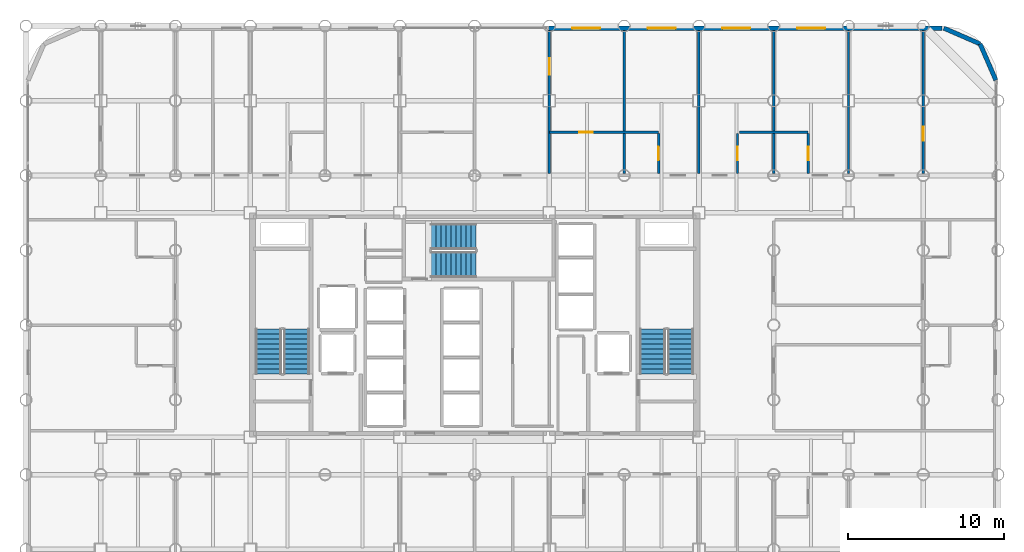
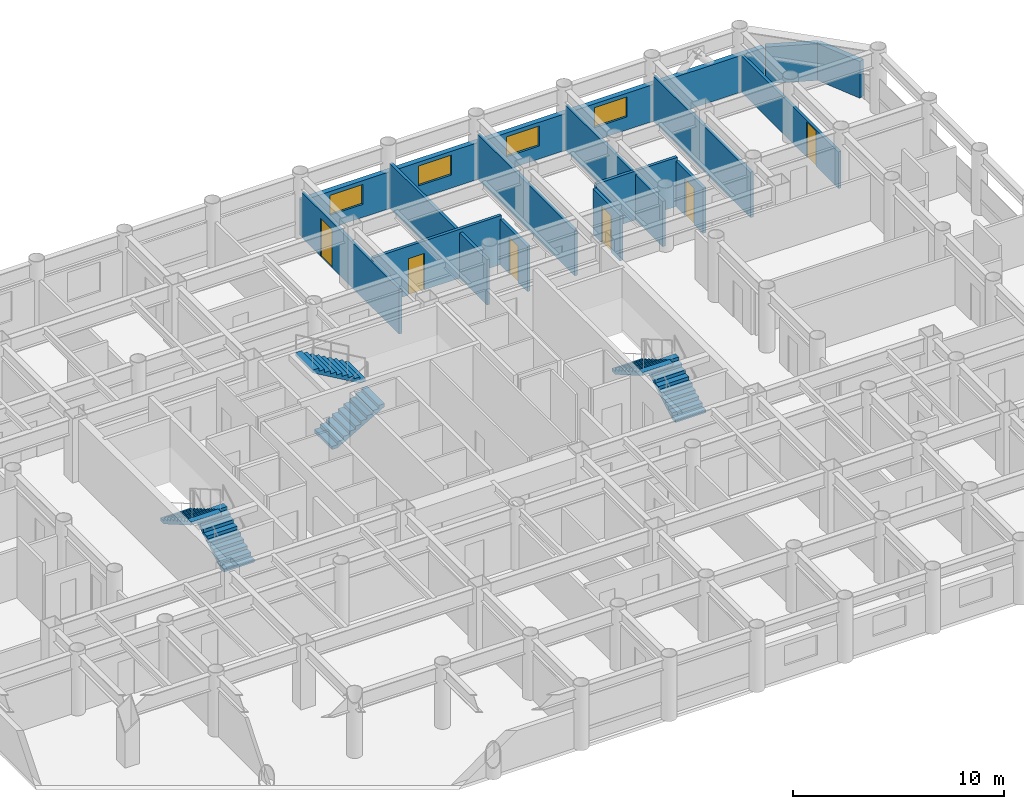
# One storey, part 19 of 20: 14 walls, 6 doors, 6 stair flights, 4 windows, 10 openings, 3 elements without a shape of their own.
"""IFC4 building model written with IfcOpenShell, lengths in metres."""

from ifc_helpers import new_model, si_unit, direction, frame, frame_2d, origin, place, context, subcontext, project, spatial, polyline, rectangle, outline, extrude, material, layer, layer_set, type_object, element, fill, aggregate, save


model = new_model("IFC4")

# Units and contexts
model_context = context("Model", 3, precision=1e-05, world=origin(), true_north=direction((0.0, 1.0)))
body_context = subcontext(model_context, "Body", "Model", "MODEL_VIEW")
ifc_project = project(units=[si_unit("LENGTHUNIT", "METRE"), si_unit("AREAUNIT", "SQUARE_METRE"), si_unit("VOLUMEUNIT", "CUBIC_METRE"), si_unit("PLANEANGLEUNIT", "RADIAN"), si_unit("MASSUNIT", "GRAM", prefix="KILO")], contexts=[model_context])

# Site, building, storey
site_placement = place(None, origin())
site = spatial("IfcSite", under=ifc_project, at=site_placement, CompositionType="ELEMENT")
building_placement = place(site_placement, origin())
building = spatial("IfcBuilding", under=site, at=building_placement, Name="Kallvorn Hotel Tower", CompositionType="ELEMENT")
storey_placement = place(building_placement, frame((0.0, 0.0, 78.10009765625)))
storey = spatial("IfcBuildingStorey", under=building, at=storey_placement, Name="L18", CompositionType="ELEMENT", Elevation=78.10009765625)

# Wall, opening, door
ifc_material_1 = material(Name="Fire-rated double-layer acoustic gypsum drywall EI 60")
ifc_layer_1 = layer(ifc_material_1, 0.159912109375)
ifc_layer_set_1 = layer_set([ifc_layer_1], Name="WL_DEMISE_160")
wall_type_1 = type_object("IfcWallType", Name="WL_DEMISE_160", PredefinedType="PARTITIONING", material=ifc_layer_set_1)
wall_1_placement = place(storey_placement, frame((4.800048828125, 12.3701171875, 0.0), z_axis=(0.0, 0.0, 1.0), x_axis=(1.0, 0.0, 0.0)))
wall_1 = element("IfcWall", 1, at=wall_1_placement, inside=storey, type_object=wall_type_1, Name="L18 Suite 1811 Junior Bedroom Partition", PredefinedType="PARTITIONING", context=body_context, shape_type="SweptSolid", body=[
    extrude(rectangle(XDim=7.010009765625, YDim=0.159912109375, at=frame_2d((3.5048828125, 0.0))), origin(), (0.0, 0.0, 1.0), 2.81982421875),
])
opening_1_placement = place(wall_1_placement, frame((1.929931640625, 0.0, 0.0)))
opening_1 = element("IfcOpeningElement", 2, at=opening_1_placement, cuts=wall_1, Name="Opening BD-I", PredefinedType="OPENING", context=body_context, shape_type="SweptSolid", body=[
    extrude(rectangle(XDim=0.860107421875, YDim=2.10009765625, at=frame_2d((0.43017578125, 1.050048828125))), frame((0.0, 0.094970703125, 0.0), z_axis=(0.0, -1.0, 0.0), x_axis=(1.0, 0.0, 0.0)), (0.0, 0.0, 1.0), 0.18994140625),
])
ifc_material_2 = material(Name="Solid-core walnut veneer fire-rated timber door leaf", Category="wood")
door_type_1 = type_object("IfcDoorType", Name="DR_BATH_860x2100", OperationType="NOTDEFINED", PredefinedType="DOOR", material=ifc_material_2)
door_1_placement = place(opening_1_placement, origin())
door_1 = element("IfcDoor", 3, at=door_1_placement, inside=storey, type_object=door_type_1, Name="L18 Suite 1811 En-Suite Bathroom Door", OperationType="SINGLE_SWING_LEFT", OverallHeight=2.10009765625, OverallWidth=0.860107421875, PredefinedType="DOOR", context=body_context, shape_type="SweptSolid", body=[
    extrude(rectangle(XDim=0.860107421875, YDim=2.10009765625, at=frame_2d((0.43017578125, 1.050048828125))), frame((0.0, 0.02490234375, 0.0), z_axis=(0.0, -1.0, 0.0), x_axis=(1.0, 0.0, 0.0)), (0.0, 0.0, 1.0), 0.050048828125),
])
fill(opening_1, door_1)

# Wall
wall_2_placement = place(storey_placement, frame((16.989990234375, 12.3701171875, 0.0), z_axis=(0.0, 0.0, 1.0), x_axis=(1.0, 0.0, 0.0)))
element("IfcWall", 4, at=wall_2_placement, inside=storey, type_object=wall_type_1, Name="L18 Suite 1813 Standard Twin Room Partition", PredefinedType="PARTITIONING", context=body_context, shape_type="SweptSolid", body=[
    extrude(rectangle(XDim=4.419921875, YDim=0.159912109375, at=frame_2d((2.2099609375, 0.0))), origin(), (0.0, 0.0, 1.0), 2.81982421875),
])

# Wall, opening, door
wall_3_placement = place(storey_placement, frame((4.800048828125, 9.719970703125, 0.0), z_axis=(0.0, 0.0, 1.0), x_axis=(0.0, 1.0, 0.0)))
wall_3 = element("IfcWall", 5, at=wall_3_placement, inside=storey, type_object=wall_type_1, Name="L18 Suite 1811 Junior Living Salon Partition", PredefinedType="PARTITIONING", context=body_context, shape_type="SweptSolid", body=[
    extrude(rectangle(XDim=9.18994140625, YDim=0.159912109375, at=frame_2d((4.594970703125, 0.0))), origin(), (0.0, 0.0, 1.0), 2.619873046875),
])
opening_2_placement = place(wall_3_placement, frame((6.346923828125, 0.0, 0.0)))
opening_2 = element("IfcOpeningElement", 6, at=opening_2_placement, cuts=wall_3, Name="Opening GD2", PredefinedType="OPENING", context=body_context, shape_type="SweptSolid", body=[
    extrude(rectangle(XDim=1.050048828125, YDim=2.199951171875, at=frame_2d((0.52490234375, 1.10009765625))), frame((0.0, 0.094970703125, 0.0), z_axis=(0.0, -1.0, 0.0), x_axis=(1.0, 0.0, 0.0)), (0.0, 0.0, 1.0), 0.18994140625),
])
ifc_material_3 = material(Name="Solid-core walnut veneer fire-rated timber door leaf", Category="wood")
door_type_2 = type_object("IfcDoorType", Name="DR_SUITE_1050x2200", OperationType="NOTDEFINED", PredefinedType="DOOR", material=ifc_material_3)
door_2_placement = place(opening_2_placement, origin())
door_2 = element("IfcDoor", 7, at=door_2_placement, inside=storey, type_object=door_type_2, Name="L18 Suite 1811 Junior Bedroom Door", OperationType="SINGLE_SWING_RIGHT", OverallHeight=2.199951171875, OverallWidth=1.050048828125, PredefinedType="DOOR", context=body_context, shape_type="SweptSolid", body=[
    extrude(rectangle(XDim=1.050048828125, YDim=2.199951171875, at=frame_2d((0.52490234375, 1.10009765625))), frame((0.0, 0.02490234375, 0.0), z_axis=(0.0, -1.0, 0.0), x_axis=(1.0, 0.0, 0.0)), (0.0, 0.0, 1.0), 0.050048828125),
])
fill(opening_2, door_2)

# Wall
wall_4_placement = place(storey_placement, frame((9.60009765625, 9.719970703125, 0.0), z_axis=(0.0, 0.0, 1.0), x_axis=(0.0, 1.0, 0.0)))
element("IfcWall", 8, at=wall_4_placement, inside=storey, type_object=wall_type_1, Name="L18 Suite 1812 Standard Twin Room Partition", PredefinedType="PARTITIONING", context=body_context, shape_type="SweptSolid", body=[
    extrude(rectangle(XDim=9.18994140625, YDim=0.159912109375, at=frame_2d((4.594970703125, 0.0))), origin(), (0.0, 0.0, 1.0), 2.619873046875),
])

# Wall, opening, door
wall_5_placement = place(storey_placement, frame((11.81005859375, 9.719970703125, 0.0), z_axis=(0.0, 0.0, 1.0), x_axis=(0.0, 1.0, 0.0)))
wall_5 = element("IfcWall", 9, at=wall_5_placement, inside=storey, type_object=wall_type_1, Name="L18 Suite 1812 Standard Twin Room Partition", PredefinedType="PARTITIONING", context=body_context, shape_type="SweptSolid", body=[
    extrude(rectangle(XDim=2.56494140625, YDim=0.159912109375, at=frame_2d((1.282470703125, 0.0))), origin(), (0.0, 0.0, 1.0), 2.619873046875),
])
opening_3_placement = place(wall_5_placement, frame((0.8701171875, 0.0, 0.0)))
opening_3 = element("IfcOpeningElement", 10, at=opening_3_placement, cuts=wall_5, Name="Opening BD-I", PredefinedType="OPENING", context=body_context, shape_type="SweptSolid", body=[
    extrude(rectangle(XDim=0.860107421875, YDim=2.10009765625, at=frame_2d((0.43017578125, 1.050048828125))), frame((0.0, 0.094970703125, 0.0), z_axis=(0.0, -1.0, 0.0), x_axis=(1.0, 0.0, 0.0)), (0.0, 0.0, 1.0), 0.18994140625),
])
door_3_placement = place(opening_3_placement, origin())
door_3 = element("IfcDoor", 11, at=door_3_placement, inside=storey, type_object=door_type_1, Name="L18 Suite 1812 En-Suite Bathroom Door", OperationType="SINGLE_SWING_RIGHT", OverallHeight=2.10009765625, OverallWidth=0.860107421875, PredefinedType="DOOR", context=body_context, shape_type="SweptSolid", body=[
    extrude(rectangle(XDim=0.860107421875, YDim=2.10009765625, at=frame_2d((0.43017578125, 1.050048828125))), frame((0.0, 0.02490234375, 0.0), z_axis=(0.0, -1.0, 0.0), x_axis=(1.0, 0.0, 0.0)), (0.0, 0.0, 1.0), 0.050048828125),
])
fill(opening_3, door_3)

# Wall
wall_6_placement = place(storey_placement, frame((14.39990234375, 9.719970703125, 0.0), z_axis=(0.0, 0.0, 1.0), x_axis=(0.0, 1.0, 0.0)))
element("IfcWall", 12, at=wall_6_placement, inside=storey, type_object=wall_type_1, Name="L18 Suite 1812 Standard Twin Room Partition", PredefinedType="PARTITIONING", context=body_context, shape_type="SweptSolid", body=[
    extrude(rectangle(XDim=9.18994140625, YDim=0.159912109375, at=frame_2d((4.594970703125, 0.0))), origin(), (0.0, 0.0, 1.0), 2.619873046875),
])

# Wall, opening, door
wall_7_placement = place(storey_placement, frame((16.875, 9.719970703125, 0.0), z_axis=(0.0, 0.0, 1.0), x_axis=(0.0, 1.0, 0.0)))
wall_7 = element("IfcWall", 13, at=wall_7_placement, inside=storey, type_object=wall_type_1, Name="L18 Suite 1813 Standard Twin Room Partition", PredefinedType="PARTITIONING", context=body_context, shape_type="SweptSolid", body=[
    extrude(rectangle(XDim=2.56494140625, YDim=0.159912109375, at=frame_2d((1.282470703125, 0.0))), origin(), (0.0, 0.0, 1.0), 2.619873046875),
])
opening_4_placement = place(wall_7_placement, frame((0.8701171875, 0.0, 0.0)))
opening_4 = element("IfcOpeningElement", 14, at=opening_4_placement, cuts=wall_7, Name="Opening BD-I", PredefinedType="OPENING", context=body_context, shape_type="SweptSolid", body=[
    extrude(rectangle(XDim=0.860107421875, YDim=2.10009765625, at=frame_2d((0.43017578125, 1.050048828125))), frame((0.0, 0.094970703125, 0.0), z_axis=(0.0, -1.0, 0.0), x_axis=(1.0, 0.0, 0.0)), (0.0, 0.0, 1.0), 0.18994140625),
])
door_4_placement = place(opening_4_placement, origin())
door_4 = element("IfcDoor", 15, at=door_4_placement, inside=storey, type_object=door_type_1, Name="L18 Suite 1813 En-Suite Bathroom Door", OperationType="SINGLE_SWING_LEFT", OverallHeight=2.10009765625, OverallWidth=0.860107421875, PredefinedType="DOOR", context=body_context, shape_type="SweptSolid", body=[
    extrude(rectangle(XDim=0.860107421875, YDim=2.10009765625, at=frame_2d((0.43017578125, 1.050048828125))), frame((0.0, 0.02490234375, 0.0), z_axis=(0.0, -1.0, 0.0), x_axis=(1.0, 0.0, 0.0)), (0.0, 0.0, 1.0), 0.050048828125),
])
fill(opening_4, door_4)

# Wall
wall_8_placement = place(storey_placement, frame((19.199951171875, 9.719970703125, 0.0), z_axis=(0.0, 0.0, 1.0), x_axis=(0.0, 1.0, 0.0)))
element("IfcWall", 16, at=wall_8_placement, inside=storey, type_object=wall_type_1, Name="L18 Suite 1813 Standard Twin Room Partition", PredefinedType="PARTITIONING", context=body_context, shape_type="SweptSolid", body=[
    extrude(rectangle(XDim=9.18994140625, YDim=0.159912109375, at=frame_2d((4.594970703125, 0.0))), origin(), (0.0, 0.0, 1.0), 2.619873046875),
])

# Wall, opening, door
wall_9_placement = place(storey_placement, frame((21.409912109375, 9.719970703125, 0.0), z_axis=(0.0, 0.0, 1.0), x_axis=(0.0, 1.0, 0.0)))
wall_9 = element("IfcWall", 17, at=wall_9_placement, inside=storey, type_object=wall_type_1, Name="L18 Suite 1814 Standard Twin Room Partition", PredefinedType="PARTITIONING", context=body_context, shape_type="SweptSolid", body=[
    extrude(rectangle(XDim=2.56494140625, YDim=0.159912109375, at=frame_2d((1.282470703125, 0.0))), origin(), (0.0, 0.0, 1.0), 2.619873046875),
])
opening_5_placement = place(wall_9_placement, frame((0.8701171875, 0.0, 0.0)))
opening_5 = element("IfcOpeningElement", 18, at=opening_5_placement, cuts=wall_9, Name="Opening BD-I", PredefinedType="OPENING", context=body_context, shape_type="SweptSolid", body=[
    extrude(rectangle(XDim=0.860107421875, YDim=2.10009765625, at=frame_2d((0.43017578125, 1.050048828125))), frame((0.0, 0.094970703125, 0.0), z_axis=(0.0, -1.0, 0.0), x_axis=(1.0, 0.0, 0.0)), (0.0, 0.0, 1.0), 0.18994140625),
])
door_5_placement = place(opening_5_placement, origin())
door_5 = element("IfcDoor", 19, at=door_5_placement, inside=storey, type_object=door_type_1, Name="L18 Suite 1814 En-Suite Bathroom Door", OperationType="SINGLE_SWING_LEFT", OverallHeight=2.10009765625, OverallWidth=0.860107421875, PredefinedType="DOOR", context=body_context, shape_type="SweptSolid", body=[
    extrude(rectangle(XDim=0.860107421875, YDim=2.10009765625, at=frame_2d((0.43017578125, 1.050048828125))), frame((0.0, 0.02490234375, 0.0), z_axis=(0.0, -1.0, 0.0), x_axis=(1.0, 0.0, 0.0)), (0.0, 0.0, 1.0), 0.050048828125),
])
fill(opening_5, door_5)

# Walls
wall_10_placement = place(storey_placement, frame((24.0, 9.719970703125, 0.0), z_axis=(0.0, 0.0, 1.0), x_axis=(0.0, 1.0, 0.0)))
element("IfcWall", 20, at=wall_10_placement, inside=storey, type_object=wall_type_1, Name="L18 Suite 1814 Standard Twin Room Partition", PredefinedType="PARTITIONING", context=body_context, shape_type="SweptSolid", body=[
    extrude(rectangle(XDim=9.18994140625, YDim=0.159912109375, at=frame_2d((4.594970703125, 0.0))), origin(), (0.0, 0.0, 1.0), 2.619873046875),
])
ifc_material_4 = material(Name="Precast basalt-clad insulated concrete wall C40/50", Category="masonry")
ifc_layer_2 = layer(ifc_material_4, 0.280029296875)
ifc_layer_set_2 = layer_set([ifc_layer_2], Name="WL_EXT_LOGGIA_280")
wall_type_2 = type_object("IfcWallType", Name="WL_EXT_LOGGIA_280", PredefinedType="SOLIDWALL", material=ifc_layer_set_2)
wall_11_placement = place(storey_placement, frame((33.4580078125, 15.720703125, 0.0), z_axis=(0.0, 0.0, 1.0), x_axis=(-0.398792985289, 0.917040977756, 0.0)))
element("IfcWall", 21, at=wall_11_placement, inside=storey, type_object=wall_type_2, Name="L18 Rounded Corner Exterior Wall NE1", PredefinedType="SOLIDWALL", context=body_context, shape_type="SweptSolid", body=[
    extrude(rectangle(XDim=2.536376953125, YDim=0.280029296875, at=frame_2d((1.26806640625, 0.0))), origin(), (0.0, 0.0, 1.0), 2.119873046875),
])
wall_12_placement = place(storey_placement, frame((32.446533203125, 18.046630859375, 0.0), z_axis=(0.0, 0.0, 1.0), x_axis=(-0.917060872934, 0.398747232384, 0.0)))
element("IfcWall", 22, at=wall_12_placement, inside=storey, type_object=wall_type_2, Name="L18 Rounded Corner Exterior Wall NE2", PredefinedType="SOLIDWALL", context=body_context, shape_type="SweptSolid", body=[
    extrude(rectangle(XDim=2.5361328125, YDim=0.280029296875, at=frame_2d((1.26806640625, 0.0))), origin(), (0.0, 0.0, 1.0), 2.119873046875),
])

# Wall, openings, windows
wall_13_placement = place(storey_placement, frame((4.75, 19.06005859375, 0.0), z_axis=(0.0, 0.0, 1.0), x_axis=(1.0, 0.0, 0.0)))
wall_13 = element("IfcWall", 23, at=wall_13_placement, inside=storey, type_object=wall_type_2, Name="L18 Exterior Envelope Wall EW-L18-NE", PredefinedType="SOLIDWALL", context=body_context, shape_type="SweptSolid", body=[
    extrude(rectangle(XDim=25.25, YDim=0.280029296875, at=frame_2d((12.625, 0.0))), origin(), (0.0, 0.0, 1.0), 2.119873046875),
])
opening_6_placement = place(wall_13_placement, frame((1.510009765625, 0.0, 0.75)))
opening_6 = element("IfcOpeningElement", 24, at=opening_6_placement, cuts=wall_13, Name="Opening W04A", PredefinedType="OPENING", context=body_context, shape_type="SweptSolid", body=[
    extrude(rectangle(XDim=1.800048828125, YDim=1.14990234375, at=frame_2d((0.89990234375, 0.574951171875))), frame((0.0, 0.155029296875, 0.0), z_axis=(0.0, -1.0, 0.0), x_axis=(1.0, 0.0, 0.0)), (0.0, 0.0, 1.0), 0.31005859375),
])
opening_7_placement = place(wall_13_placement, frame((6.35009765625, 0.0, 0.75)))
opening_7 = element("IfcOpeningElement", 25, at=opening_7_placement, cuts=wall_13, Name="Opening W04A", PredefinedType="OPENING", context=body_context, shape_type="SweptSolid", body=[
    extrude(rectangle(XDim=1.800048828125, YDim=1.14990234375, at=frame_2d((0.89990234375, 0.574951171875))), frame((0.0, 0.155029296875, 0.0), z_axis=(0.0, -1.0, 0.0), x_axis=(1.0, 0.0, 0.0)), (0.0, 0.0, 1.0), 0.31005859375),
])
opening_8_placement = place(wall_13_placement, frame((11.14990234375, 0.0, 0.75)))
opening_8 = element("IfcOpeningElement", 26, at=opening_8_placement, cuts=wall_13, Name="Opening W04A", PredefinedType="OPENING", context=body_context, shape_type="SweptSolid", body=[
    extrude(rectangle(XDim=1.800048828125, YDim=1.14990234375, at=frame_2d((0.89990234375, 0.574951171875))), frame((0.0, 0.155029296875, 0.0), z_axis=(0.0, -1.0, 0.0), x_axis=(1.0, 0.0, 0.0)), (0.0, 0.0, 1.0), 0.31005859375),
])
opening_9_placement = place(wall_13_placement, frame((15.949951171875, 0.0, 0.75)))
opening_9 = element("IfcOpeningElement", 27, at=opening_9_placement, cuts=wall_13, Name="Opening W04A", PredefinedType="OPENING", context=body_context, shape_type="SweptSolid", body=[
    extrude(rectangle(XDim=1.800048828125, YDim=1.14990234375, at=frame_2d((0.89990234375, 0.574951171875))), frame((0.0, 0.155029296875, 0.0), z_axis=(0.0, -1.0, 0.0), x_axis=(1.0, 0.0, 0.0)), (0.0, 0.0, 1.0), 0.31005859375),
])
ifc_material_5 = material(Name="Double-glazed low-e solar-control dark glass", Category="glass")
window_type = type_object("IfcWindowType", Name="WN_HTL_1800x1150", PartitioningType="SINGLE_PANEL", PredefinedType="WINDOW", material=ifc_material_5)
window_1_placement = place(opening_6_placement, origin())
window_1 = element("IfcWindow", 28, at=window_1_placement, inside=storey, type_object=window_type, Name="L18 Guestroom Exterior Window 11", OverallHeight=1.14990234375, OverallWidth=1.800048828125, PartitioningType="SINGLE_PANEL", PredefinedType="WINDOW", context=body_context, shape_type="SweptSolid", body=[
    extrude(rectangle(XDim=1.800048828125, YDim=1.14990234375, at=frame_2d((0.89990234375, 0.574951171875))), frame((0.0, 0.030029296875, 0.0), z_axis=(0.0, -1.0, 0.0), x_axis=(1.0, 0.0, 0.0)), (0.0, 0.0, 1.0), 0.06005859375),
])
fill(opening_6, window_1)
window_2_placement = place(opening_7_placement, origin())
window_2 = element("IfcWindow", 29, at=window_2_placement, inside=storey, type_object=window_type, Name="L18 Guestroom Exterior Window 12", OverallHeight=1.14990234375, OverallWidth=1.800048828125, PartitioningType="SINGLE_PANEL", PredefinedType="WINDOW", context=body_context, shape_type="SweptSolid", body=[
    extrude(rectangle(XDim=1.800048828125, YDim=1.14990234375, at=frame_2d((0.89990234375, 0.574951171875))), frame((0.0, 0.030029296875, 0.0), z_axis=(0.0, -1.0, 0.0), x_axis=(1.0, 0.0, 0.0)), (0.0, 0.0, 1.0), 0.06005859375),
])
fill(opening_7, window_2)
window_3_placement = place(opening_8_placement, origin())
window_3 = element("IfcWindow", 30, at=window_3_placement, inside=storey, type_object=window_type, Name="L18 Guestroom Exterior Window 13", OverallHeight=1.14990234375, OverallWidth=1.800048828125, PartitioningType="SINGLE_PANEL", PredefinedType="WINDOW", context=body_context, shape_type="SweptSolid", body=[
    extrude(rectangle(XDim=1.800048828125, YDim=1.14990234375, at=frame_2d((0.89990234375, 0.574951171875))), frame((0.0, 0.030029296875, 0.0), z_axis=(0.0, -1.0, 0.0), x_axis=(1.0, 0.0, 0.0)), (0.0, 0.0, 1.0), 0.06005859375),
])
fill(opening_8, window_3)
window_4_placement = place(opening_9_placement, origin())
window_4 = element("IfcWindow", 31, at=window_4_placement, inside=storey, type_object=window_type, Name="L18 Guestroom Exterior Window 14", OverallHeight=1.14990234375, OverallWidth=1.800048828125, PartitioningType="SINGLE_PANEL", PredefinedType="WINDOW", context=body_context, shape_type="SweptSolid", body=[
    extrude(rectangle(XDim=1.800048828125, YDim=1.14990234375, at=frame_2d((0.89990234375, 0.574951171875))), frame((0.0, 0.030029296875, 0.0), z_axis=(0.0, -1.0, 0.0), x_axis=(1.0, 0.0, 0.0)), (0.0, 0.0, 1.0), 0.06005859375),
])
fill(opening_9, window_4)

# Wall, opening, door
ifc_material_6 = material(Name="Fire-rated double-layer acoustic gypsum drywall EI 60")
ifc_layer_3 = layer(ifc_material_6, 0.14990234375)
ifc_layer_set_3 = layer_set([ifc_layer_3], Name="WL_PART_150")
wall_type_3 = type_object("IfcWallType", Name="WL_PART_150", PredefinedType="PARTITIONING", material=ifc_layer_set_3)
wall_14_placement = place(storey_placement, frame((28.800048828125, 9.719970703125, 0.0), z_axis=(0.0, 0.0, 1.0), x_axis=(0.0, 1.0, 0.0)))
wall_14 = element("IfcWall", 32, at=wall_14_placement, inside=storey, type_object=wall_type_3, Name="L18 L18 North-East Reading Club A Partition", PredefinedType="PARTITIONING", context=body_context, shape_type="SweptSolid", body=[
    extrude(rectangle(XDim=9.18994140625, YDim=0.14990234375, at=frame_2d((4.594970703125, 0.0))), origin(), (0.0, 0.0, 1.0), 2.119873046875),
])
opening_10_placement = place(wall_14_placement, frame((2.10791015625, 0.0, 0.0)))
opening_10 = element("IfcOpeningElement", 33, at=opening_10_placement, cuts=wall_14, Name="Opening SVD1A", PredefinedType="OPENING", context=body_context, shape_type="SweptSolid", body=[
    extrude(rectangle(XDim=0.89990234375, YDim=2.02001953125, at=frame_2d((0.449951171875, 1.010009765625))), frame((0.0, 0.08984375, 0.0), z_axis=(0.0, -1.0, 0.0), x_axis=(1.0, 0.0, 0.0)), (0.0, 0.0, 1.0), 0.179931640625),
])
ifc_material_7 = material(Name="Galvanised painted steel fire-rated door assembly", Category="steel")
door_type_3 = type_object("IfcDoorType", Name="DR_SERV_900x2020", OperationType="NOTDEFINED", PredefinedType="DOOR", material=ifc_material_7)
door_6_placement = place(opening_10_placement, origin())
door_6 = element("IfcDoor", 34, at=door_6_placement, inside=storey, type_object=door_type_3, Name="L18 L18 North-East Reading Club B Door", OperationType="SINGLE_SWING_RIGHT", OverallHeight=2.02001953125, OverallWidth=0.89990234375, PredefinedType="DOOR", context=body_context, shape_type="SweptSolid", body=[
    extrude(rectangle(XDim=0.89990234375, YDim=2.02001953125, at=frame_2d((0.449951171875, 1.010009765625))), frame((0.0, 0.02490234375, 0.0), z_axis=(0.0, -1.0, 0.0), x_axis=(1.0, 0.0, 0.0)), (0.0, 0.0, 1.0), 0.050048828125),
])
fill(opening_10, door_6)

# Stair, stair flights
ifc_material_8 = material(Name="Precast concrete C40/50", Category="concrete")
stair_type = type_object("IfcStairType", Name="STR_CORE_DOGLEG", PredefinedType="HALF_TURN_STAIR", material=ifc_material_8)
stair_1_placement = place(storey_placement, origin())
stair_1 = element("IfcStair", 35, at=stair_1_placement, inside=storey, type_object=stair_type, Name="L18 Exit stair ST1", PredefinedType="HALF_TURN_STAIR")
ifc_material_9 = material(Name="Precast concrete C40/50", Category="concrete")
stair_flight_type = type_object("IfcStairFlightType", Name="FLT_CORE_1660", PredefinedType="STRAIGHT", material=ifc_material_9)
stair_flight_1_placement = place(storey_placement, frame((-11.429931640625, -3.139892578125, 0.0), z_axis=(0.0, 0.0, 1.0), x_axis=(0.0, 1.0, 0.0)))
stair_flight_1 = element("IfcStairFlight", 36, at=stair_flight_1_placement, type_object=stair_flight_type, Name="ST1 flight 1", NumberOfRisers=10, NumberOfTreads=9, PredefinedType="STRAIGHT", RiserHeight=0.185, TreadLength=0.32, context=body_context, shape_type="SweptSolid", body=[
    extrude(outline(polyline([(0.0, 0.0), (0.0, 0.18505859375), (0.320068359375, 0.18505859375), (0.320068359375, 0.3701171875), (0.639892578125, 0.3701171875), (0.639892578125, 0.554931640625), (0.9599609375, 0.554931640625), (0.9599609375, 0.739990234375), (1.280029296875, 0.739990234375), (1.280029296875, 0.925048828125), (1.60009765625, 0.925048828125), (1.60009765625, 1.110107421875), (1.919921875, 1.110107421875), (1.919921875, 1.294921875), (2.239990234375, 1.294921875), (2.239990234375, 1.47998046875), (2.56005859375, 1.47998046875), (2.56005859375, 1.6650390625), (2.8798828125, 1.6650390625), (2.8798828125, 1.85009765625), (2.8798828125, 1.491943359375), (0.299560546875, 0.0), (0.0, 0.0)])), frame((0.0, 0.830078125, 0.0), z_axis=(0.0, -1.0, 0.0), x_axis=(1.0, 0.0, 0.0)), (0.0, 0.0, 1.0), 1.659912109375),
])
stair_flight_2_placement = place(storey_placement, frame((-13.22998046875, -0.260009765625, 1.849853515625), z_axis=(0.0, 0.0, 1.0), x_axis=(0.0, -1.0, 0.0)))
stair_flight_2 = element("IfcStairFlight", 37, at=stair_flight_2_placement, type_object=stair_flight_type, Name="ST1 flight 2", NumberOfRisers=10, NumberOfTreads=9, PredefinedType="STRAIGHT", RiserHeight=0.185, TreadLength=0.32, context=body_context, shape_type="SweptSolid", body=[
    extrude(outline(polyline([(0.0, 0.0), (0.0, 0.18505859375), (0.320068359375, 0.18505859375), (0.320068359375, 0.3701171875), (0.639892578125, 0.3701171875), (0.639892578125, 0.554931640625), (0.9599609375, 0.554931640625), (0.9599609375, 0.739990234375), (1.280029296875, 0.739990234375), (1.280029296875, 0.925048828125), (1.60009765625, 0.925048828125), (1.60009765625, 1.110107421875), (1.919921875, 1.110107421875), (1.919921875, 1.294921875), (2.239990234375, 1.294921875), (2.239990234375, 1.47998046875), (2.56005859375, 1.47998046875), (2.56005859375, 1.6650390625), (2.8798828125, 1.6650390625), (2.8798828125, 1.85009765625), (2.8798828125, 1.491943359375), (0.299560546875, 0.0), (0.0, 0.0)])), frame((0.0, 0.830078125, 0.0), z_axis=(0.0, -1.0, 0.0), x_axis=(1.0, 0.0, 0.0)), (0.0, 0.0, 1.0), 1.659912109375),
])
aggregate(stair_1, [stair_flight_1, stair_flight_2])

stair_2_placement = place(storey_placement, origin())
stair_2 = element("IfcStair", 38, at=stair_2_placement, inside=storey, type_object=stair_type, Name="L18 Exit stair ST2", PredefinedType="HALF_TURN_STAIR")
stair_flight_3_placement = place(storey_placement, frame((13.22998046875, -3.139892578125, 0.0), z_axis=(0.0, 0.0, 1.0), x_axis=(0.0, 1.0, 0.0)))
stair_flight_3 = element("IfcStairFlight", 39, at=stair_flight_3_placement, type_object=stair_flight_type, Name="ST2 flight 1", NumberOfRisers=10, NumberOfTreads=9, PredefinedType="STRAIGHT", RiserHeight=0.185, TreadLength=0.32, context=body_context, shape_type="SweptSolid", body=[
    extrude(outline(polyline([(0.0, 0.0), (0.0, 0.18505859375), (0.320068359375, 0.18505859375), (0.320068359375, 0.3701171875), (0.639892578125, 0.3701171875), (0.639892578125, 0.554931640625), (0.9599609375, 0.554931640625), (0.9599609375, 0.739990234375), (1.280029296875, 0.739990234375), (1.280029296875, 0.925048828125), (1.60009765625, 0.925048828125), (1.60009765625, 1.110107421875), (1.919921875, 1.110107421875), (1.919921875, 1.294921875), (2.239990234375, 1.294921875), (2.239990234375, 1.47998046875), (2.56005859375, 1.47998046875), (2.56005859375, 1.6650390625), (2.8798828125, 1.6650390625), (2.8798828125, 1.85009765625), (2.8798828125, 1.491943359375), (0.299560546875, 0.0), (0.0, 0.0)])), frame((0.0, 0.830078125, 0.0), z_axis=(0.0, -1.0, 0.0), x_axis=(1.0, 0.0, 0.0)), (0.0, 0.0, 1.0), 1.659912109375),
])
stair_flight_4_placement = place(storey_placement, frame((11.429931640625, -0.260009765625, 1.849853515625), z_axis=(0.0, 0.0, 1.0), x_axis=(0.0, -1.0, 0.0)))
stair_flight_4 = element("IfcStairFlight", 40, at=stair_flight_4_placement, type_object=stair_flight_type, Name="ST2 flight 2", NumberOfRisers=10, NumberOfTreads=9, PredefinedType="STRAIGHT", RiserHeight=0.185, TreadLength=0.32, context=body_context, shape_type="SweptSolid", body=[
    extrude(outline(polyline([(0.0, 0.0), (0.0, 0.18505859375), (0.320068359375, 0.18505859375), (0.320068359375, 0.3701171875), (0.639892578125, 0.3701171875), (0.639892578125, 0.554931640625), (0.9599609375, 0.554931640625), (0.9599609375, 0.739990234375), (1.280029296875, 0.739990234375), (1.280029296875, 0.925048828125), (1.60009765625, 0.925048828125), (1.60009765625, 1.110107421875), (1.919921875, 1.110107421875), (1.919921875, 1.294921875), (2.239990234375, 1.294921875), (2.239990234375, 1.47998046875), (2.56005859375, 1.47998046875), (2.56005859375, 1.6650390625), (2.8798828125, 1.6650390625), (2.8798828125, 1.85009765625), (2.8798828125, 1.491943359375), (0.299560546875, 0.0), (0.0, 0.0)])), frame((0.0, 0.830078125, 0.0), z_axis=(0.0, -1.0, 0.0), x_axis=(1.0, 0.0, 0.0)), (0.0, 0.0, 1.0), 1.659912109375),
])
aggregate(stair_2, [stair_flight_3, stair_flight_4])

stair_3_placement = place(storey_placement, origin())
stair_3 = element("IfcStair", 41, at=stair_3_placement, inside=storey, type_object=stair_type, Name="L18 Exit stair ST3", PredefinedType="HALF_TURN_STAIR")
stair_flight_5_placement = place(storey_placement, frame((-2.7900390625, 3.8798828125, 0.0), z_axis=(0.0, 0.0, 1.0), x_axis=(1.0, 0.0, 0.0)))
stair_flight_5 = element("IfcStairFlight", 42, at=stair_flight_5_placement, type_object=stair_flight_type, Name="ST3 flight 1", NumberOfRisers=10, NumberOfTreads=9, PredefinedType="STRAIGHT", RiserHeight=0.185, TreadLength=0.32, context=body_context, shape_type="SweptSolid", body=[
    extrude(outline(polyline([(0.0, 0.0), (0.0, 0.18505859375), (0.320068359375, 0.18505859375), (0.320068359375, 0.3701171875), (0.639892578125, 0.3701171875), (0.639892578125, 0.554931640625), (0.9599609375, 0.554931640625), (0.9599609375, 0.739990234375), (1.280029296875, 0.739990234375), (1.280029296875, 0.925048828125), (1.60009765625, 0.925048828125), (1.60009765625, 1.110107421875), (1.919921875, 1.110107421875), (1.919921875, 1.294921875), (2.239990234375, 1.294921875), (2.239990234375, 1.47998046875), (2.56005859375, 1.47998046875), (2.56005859375, 1.6650390625), (2.8798828125, 1.6650390625), (2.8798828125, 1.85009765625), (2.8798828125, 1.491943359375), (0.299560546875, 0.0), (0.0, 0.0)])), frame((0.0, 0.830078125, 0.0), z_axis=(0.0, -1.0, 0.0), x_axis=(1.0, 0.0, 0.0)), (0.0, 0.0, 1.0), 1.659912109375),
])
stair_flight_6_placement = place(storey_placement, frame((0.090087890625, 5.679931640625, 1.849853515625), z_axis=(0.0, 0.0, 1.0), x_axis=(-1.0, 0.0, 0.0)))
stair_flight_6 = element("IfcStairFlight", 43, at=stair_flight_6_placement, type_object=stair_flight_type, Name="ST3 flight 2", NumberOfRisers=10, NumberOfTreads=9, PredefinedType="STRAIGHT", RiserHeight=0.185, TreadLength=0.32, context=body_context, shape_type="SweptSolid", body=[
    extrude(outline(polyline([(0.0, 0.0), (0.0, 0.18505859375), (0.320068359375, 0.18505859375), (0.320068359375, 0.3701171875), (0.639892578125, 0.3701171875), (0.639892578125, 0.554931640625), (0.9599609375, 0.554931640625), (0.9599609375, 0.739990234375), (1.280029296875, 0.739990234375), (1.280029296875, 0.925048828125), (1.60009765625, 0.925048828125), (1.60009765625, 1.110107421875), (1.919921875, 1.110107421875), (1.919921875, 1.294921875), (2.239990234375, 1.294921875), (2.239990234375, 1.47998046875), (2.56005859375, 1.47998046875), (2.56005859375, 1.6650390625), (2.8798828125, 1.6650390625), (2.8798828125, 1.85009765625), (2.8798828125, 1.491943359375), (0.299560546875, 0.0), (0.0, 0.0)])), frame((0.0, 0.830078125, 0.0), z_axis=(0.0, -1.0, 0.0), x_axis=(1.0, 0.0, 0.0)), (0.0, 0.0, 1.0), 1.659912109375),
])
aggregate(stair_3, [stair_flight_5, stair_flight_6])

save(model, "model.ifc")
